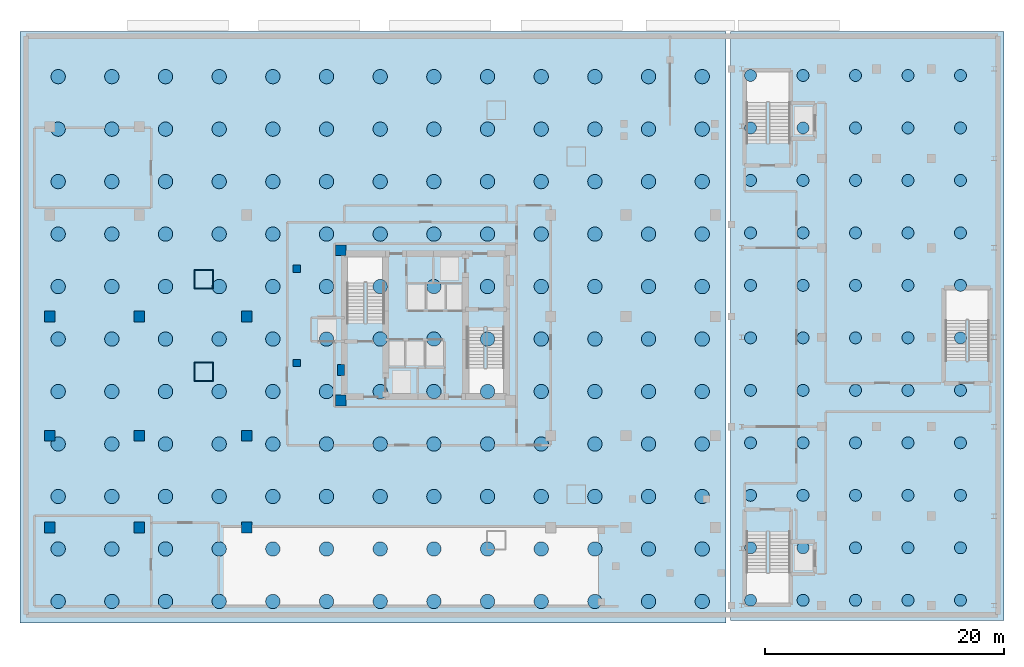
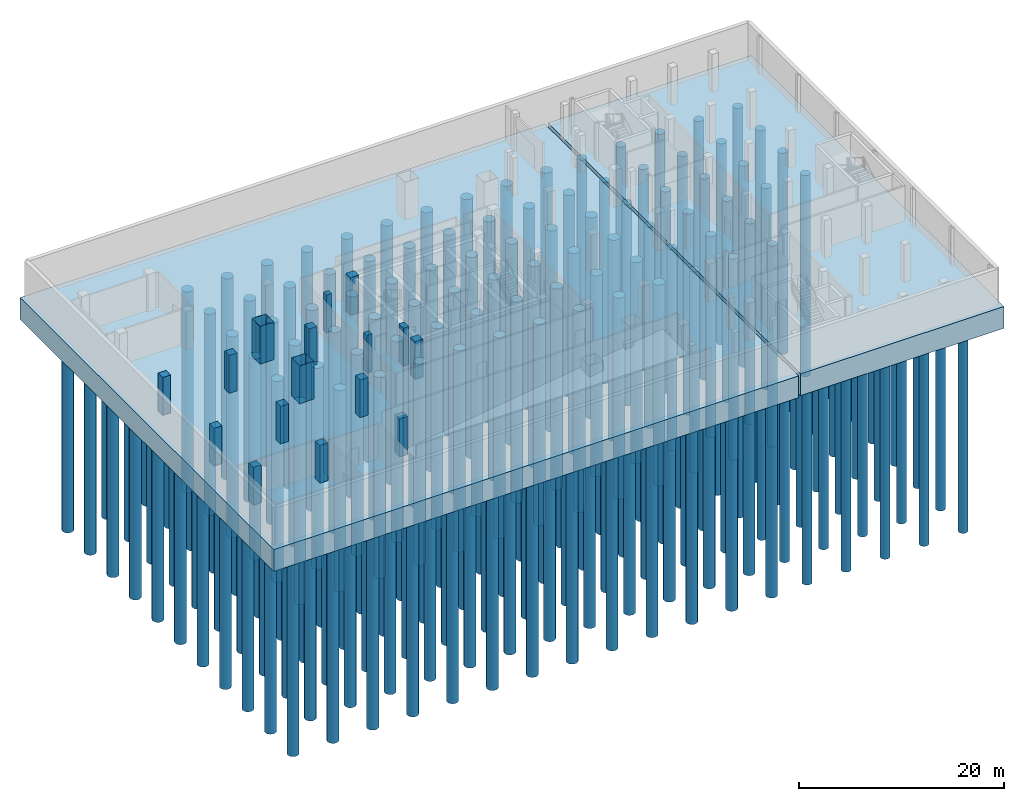
# One storey, part 1 of 15: 198 piles, 16 columns, 2 footings.
"""IFC4 building model written with IfcOpenShell, lengths in metres."""

from ifc_helpers import new_model, si_unit, direction, frame, origin, origin_2d, place, context, subcontext, project, spatial, polyline, rectangle, hollow_rectangle, circle, outline, extrude, material, material_profile, profile_set, type_object, element, save


model = new_model("IFC4")

# Units and contexts
model_context = context("Model", 3, precision=1e-05, world=origin(), true_north=direction((0.0, 1.0)))
body_context = subcontext(model_context, "Body", "Model", "MODEL_VIEW")
ifc_project = project(units=[si_unit("LENGTHUNIT", "METRE"), si_unit("AREAUNIT", "SQUARE_METRE"), si_unit("VOLUMEUNIT", "CUBIC_METRE"), si_unit("PLANEANGLEUNIT", "RADIAN"), si_unit("MASSUNIT", "GRAM", prefix="KILO")], contexts=[model_context])

# Site, building, storey
site_placement = place(None, origin())
site = spatial("IfcSite", under=ifc_project, at=site_placement, CompositionType="ELEMENT")
building_placement = place(site_placement, origin())
building = spatial("IfcBuilding", under=site, at=building_placement, Name="Mersakhor Tower and Convention Hall", CompositionType="ELEMENT")
storey_placement = place(building_placement, frame((0.0, 0.0, -9.0)))
storey = spatial("IfcBuildingStorey", under=building, at=storey_placement, Name="B02", CompositionType="ELEMENT", Elevation=-9.0)

# Footings
ifc_material_1 = material(Name="Concrete C45/55", Category="concrete")
footing_type_1 = type_object("IfcFootingType", Name="FT-RAFT-CNV", PredefinedType="PILE_CAP", material=ifc_material_1)
footing_1_placement = place(storey_placement, frame((0.0, 0.0, -2.60009765625)))
element("IfcFooting", 1, at=footing_1_placement, inside=storey, type_object=footing_type_1, Name="Convention Hall Piled Raft Foundation", PredefinedType="PILE_CAP", context=body_context, shape_type="SweptSolid", body=[
    extrude(outline(polyline([(54.550048828125, 2.0), (54.550048828125, 51.39990234375), (77.5, 51.39990234375), (77.5, 2.0), (54.550048828125, 2.0)])), origin(), (0.0, 0.0, 1.0), 2.60009765625),
])
ifc_material_2 = material(Name="Concrete C45/55", Category="concrete")
footing_type_2 = type_object("IfcFootingType", Name="FT-RAFT-TWR", PredefinedType="PILE_CAP", material=ifc_material_2)
footing_2_placement = place(storey_placement, frame((0.0, 0.0, -2.60009765625)))
element("IfcFooting", 2, at=footing_2_placement, inside=storey, type_object=footing_type_2, Name="Tower Piled Raft Foundation", PredefinedType="PILE_CAP", context=body_context, shape_type="SweptSolid", body=[
    extrude(outline(polyline([(-5.0, 1.800048828125), (-5.0, 51.39990234375), (54.199951171875, 51.39990234375), (54.199951171875, 1.800048828125), (-5.0, 1.800048828125)])), origin(), (0.0, 0.0, 1.0), 2.60009765625),
])

# Piles
ifc_material_3 = material(Name="Concrete C45/55", Category="concrete")
ifc_material_profile_1 = material_profile(ifc_material_3, circle(Radius=0.5, at=origin_2d()), Name="PILE D1000")
ifc_profile_set_1 = profile_set([ifc_material_profile_1], Name="Concrete C45/55")
pile_type_1 = type_object("IfcPileType", Name="PL-D1000", PredefinedType="BORED", material=ifc_profile_set_1)
for number, where, z_axis, x_axis, name in (
    (3, (56.25, 3.699951171875, -2.47998046875), (0.0, 0.0, -1.0), (1.0, 0.0, 0.0), "Convention Bored Pile P-C001"),
    (4, (56.25, 8.10009765625, -2.47998046875), (0.0, 0.0, -1.0), (1.0, 0.0, 0.0), "Convention Bored Pile P-C002"),
    (5, (56.25, 12.5, -2.47998046875), (0.0, 0.0, -1.0), (1.0, 0.0, 0.0), "Convention Bored Pile P-C003"),
    (6, (56.25, 16.89990234375, -2.47998046875), (0.0, 0.0, -1.0), (1.0, 0.0, 0.0), "Convention Bored Pile P-C004"),
    (7, (56.25, 21.300048828125, -2.47998046875), (0.0, 0.0, -1.0), (1.0, 0.0, 0.0), "Convention Bored Pile P-C005"),
    (8, (56.25, 25.699951171875, -2.47998046875), (0.0, 0.0, -1.0), (1.0, 0.0, 0.0), "Convention Bored Pile P-C006"),
    (9, (56.25, 30.10009765625, -2.47998046875), (0.0, 0.0, -1.0), (1.0, 0.0, 0.0), "Convention Bored Pile P-C007"),
    (10, (56.25, 34.5, -2.47998046875), (0.0, 0.0, -1.0), (1.0, 0.0, 0.0), "Convention Bored Pile P-C008"),
    (11, (56.25, 38.89990234375, -2.47998046875), (0.0, 0.0, -1.0), (1.0, 0.0, 0.0), "Convention Bored Pile P-C009"),
    (12, (56.25, 43.300048828125, -2.47998046875), (0.0, 0.0, -1.0), (1.0, 0.0, 0.0), "Convention Bored Pile P-C010"),
    (13, (56.25, 47.699951171875, -2.47998046875), (0.0, 0.0, -1.0), (1.0, 0.0, 0.0), "Convention Bored Pile P-C011"),
    (14, (60.64990234375, 3.699951171875, -2.47998046875), (0.0, 0.0, -1.0), (1.0, 0.0, 0.0), "Convention Bored Pile P-C012"),
    (15, (60.64990234375, 8.10009765625, -2.47998046875), (0.0, 0.0, -1.0), (1.0, 0.0, 0.0), "Convention Bored Pile P-C013"),
    (16, (60.64990234375, 12.5, -2.47998046875), (0.0, 0.0, -1.0), (1.0, 0.0, 0.0), "Convention Bored Pile P-C014"),
    (17, (60.64990234375, 16.89990234375, -2.47998046875), (0.0, 0.0, -1.0), (1.0, 0.0, 0.0), "Convention Bored Pile P-C015"),
    (18, (60.64990234375, 21.300048828125, -2.47998046875), (0.0, 0.0, -1.0), (1.0, 0.0, 0.0), "Convention Bored Pile P-C016"),
    (19, (60.64990234375, 25.699951171875, -2.47998046875), (0.0, 0.0, -1.0), (1.0, 0.0, 0.0), "Convention Bored Pile P-C017"),
    (20, (60.64990234375, 30.10009765625, -2.47998046875), (0.0, 0.0, -1.0), (1.0, 0.0, 0.0), "Convention Bored Pile P-C018"),
    (21, (60.64990234375, 34.5, -2.47998046875), (0.0, 0.0, -1.0), (1.0, 0.0, 0.0), "Convention Bored Pile P-C019"),
    (22, (60.64990234375, 38.89990234375, -2.47998046875), (0.0, 0.0, -1.0), (1.0, 0.0, 0.0), "Convention Bored Pile P-C020"),
    (23, (60.64990234375, 43.300048828125, -2.47998046875), (0.0, 0.0, -1.0), (1.0, 0.0, 0.0), "Convention Bored Pile P-C021"),
    (24, (60.64990234375, 47.699951171875, -2.47998046875), (0.0, 0.0, -1.0), (1.0, 0.0, 0.0), "Convention Bored Pile P-C022"),
    (25, (65.050048828125, 3.699951171875, -2.47998046875), (0.0, 0.0, -1.0), (1.0, 0.0, 0.0), "Convention Bored Pile P-C023"),
    (26, (65.050048828125, 8.10009765625, -2.47998046875), (0.0, 0.0, -1.0), (1.0, 0.0, 0.0), "Convention Bored Pile P-C024"),
    (27, (65.050048828125, 12.5, -2.47998046875), (0.0, 0.0, -1.0), (1.0, 0.0, 0.0), "Convention Bored Pile P-C025"),
    (28, (65.050048828125, 16.89990234375, -2.47998046875), (0.0, 0.0, -1.0), (1.0, 0.0, 0.0), "Convention Bored Pile P-C026"),
    (29, (65.050048828125, 21.300048828125, -2.47998046875), (0.0, 0.0, -1.0), (1.0, 0.0, 0.0), "Convention Bored Pile P-C027"),
    (30, (65.050048828125, 25.699951171875, -2.47998046875), (0.0, 0.0, -1.0), (1.0, 0.0, 0.0), "Convention Bored Pile P-C028"),
    (31, (65.050048828125, 30.10009765625, -2.47998046875), (0.0, 0.0, -1.0), (1.0, 0.0, 0.0), "Convention Bored Pile P-C029"),
    (32, (65.050048828125, 34.5, -2.47998046875), (0.0, 0.0, -1.0), (1.0, 0.0, 0.0), "Convention Bored Pile P-C030"),
    (33, (65.050048828125, 38.89990234375, -2.47998046875), (0.0, 0.0, -1.0), (1.0, 0.0, 0.0), "Convention Bored Pile P-C031"),
    (34, (65.050048828125, 43.300048828125, -2.47998046875), (0.0, 0.0, -1.0), (1.0, 0.0, 0.0), "Convention Bored Pile P-C032"),
    (35, (65.050048828125, 47.699951171875, -2.47998046875), (0.0, 0.0, -1.0), (1.0, 0.0, 0.0), "Convention Bored Pile P-C033"),
    (36, (69.449951171875, 3.699951171875, -2.47998046875), (0.0, 0.0, -1.0), (1.0, 0.0, 0.0), "Convention Bored Pile P-C034"),
    (37, (69.449951171875, 8.10009765625, -2.47998046875), (0.0, 0.0, -1.0), (1.0, 0.0, 0.0), "Convention Bored Pile P-C035"),
    (38, (69.449951171875, 12.5, -2.47998046875), (0.0, 0.0, -1.0), (1.0, 0.0, 0.0), "Convention Bored Pile P-C036"),
    (39, (69.449951171875, 16.89990234375, -2.47998046875), (0.0, 0.0, -1.0), (1.0, 0.0, 0.0), "Convention Bored Pile P-C037"),
    (40, (69.449951171875, 21.300048828125, -2.47998046875), (0.0, 0.0, -1.0), (1.0, 0.0, 0.0), "Convention Bored Pile P-C038"),
    (41, (69.449951171875, 25.699951171875, -2.47998046875), (0.0, 0.0, -1.0), (1.0, 0.0, 0.0), "Convention Bored Pile P-C039"),
    (42, (69.449951171875, 30.10009765625, -2.47998046875), (0.0, 0.0, -1.0), (1.0, 0.0, 0.0), "Convention Bored Pile P-C040"),
    (43, (69.449951171875, 34.5, -2.47998046875), (0.0, 0.0, -1.0), (1.0, 0.0, 0.0), "Convention Bored Pile P-C041"),
    (44, (69.449951171875, 38.89990234375, -2.47998046875), (0.0, 0.0, -1.0), (1.0, 0.0, 0.0), "Convention Bored Pile P-C042"),
    (45, (69.449951171875, 43.300048828125, -2.47998046875), (0.0, 0.0, -1.0), (1.0, 0.0, 0.0), "Convention Bored Pile P-C043"),
    (46, (69.449951171875, 47.699951171875, -2.47998046875), (0.0, 0.0, -1.0), (1.0, 0.0, 0.0), "Convention Bored Pile P-C044"),
    (47, (73.85009765625, 3.699951171875, -2.47998046875), (0.0, 0.0, -1.0), (1.0, 0.0, 0.0), "Convention Bored Pile P-C045"),
    (48, (73.85009765625, 8.10009765625, -2.47998046875), (0.0, 0.0, -1.0), (1.0, 0.0, 0.0), "Convention Bored Pile P-C046"),
    (49, (73.85009765625, 12.5, -2.47998046875), (0.0, 0.0, -1.0), (1.0, 0.0, 0.0), "Convention Bored Pile P-C047"),
    (50, (73.85009765625, 16.89990234375, -2.47998046875), (0.0, 0.0, -1.0), (1.0, 0.0, 0.0), "Convention Bored Pile P-C048"),
    (51, (73.85009765625, 21.300048828125, -2.47998046875), (0.0, 0.0, -1.0), (1.0, 0.0, 0.0), "Convention Bored Pile P-C049"),
    (52, (73.85009765625, 25.699951171875, -2.47998046875), (0.0, 0.0, -1.0), (1.0, 0.0, 0.0), "Convention Bored Pile P-C050"),
    (53, (73.85009765625, 30.10009765625, -2.47998046875), (0.0, 0.0, -1.0), (1.0, 0.0, 0.0), "Convention Bored Pile P-C051"),
    (54, (73.85009765625, 34.5, -2.47998046875), (0.0, 0.0, -1.0), (1.0, 0.0, 0.0), "Convention Bored Pile P-C052"),
    (55, (73.85009765625, 38.89990234375, -2.47998046875), (0.0, 0.0, -1.0), (1.0, 0.0, 0.0), "Convention Bored Pile P-C053"),
    (56, (73.85009765625, 43.300048828125, -2.47998046875), (0.0, 0.0, -1.0), (1.0, 0.0, 0.0), "Convention Bored Pile P-C054"),
    (57, (73.85009765625, 47.699951171875, -2.47998046875), (0.0, 0.0, -1.0), (1.0, 0.0, 0.0), "Convention Bored Pile P-C055"),
):
    element("IfcPile", number, at=place(storey_placement, frame(where, z_axis=z_axis, x_axis=x_axis)), inside=storey, type_object=pile_type_1, Name=name, PredefinedType="BORED", context=body_context, shape_type="SweptSolid", body=[
        extrude(circle(Radius=0.5, at=origin_2d()), origin(), (0.0, 0.0, 1.0), 24.0),
    ])
ifc_material_4 = material(Name="Concrete C45/55", Category="concrete")
ifc_material_profile_2 = material_profile(ifc_material_4, circle(Radius=0.60009765625, at=origin_2d()), Name="PILE D1200")
ifc_profile_set_2 = profile_set([ifc_material_profile_2], Name="Concrete C45/55")
pile_type_2 = type_object("IfcPileType", Name="PL-D1200", PredefinedType="BORED", material=ifc_profile_set_2)
for number, where, z_axis, x_axis, name in (
    (58, (-1.800048828125, 3.60009765625, -2.47998046875), (0.0, 0.0, -1.0), (1.0, 0.0, 0.0), "Tower Bored Pile P-T001"),
    (59, (-1.800048828125, 8.0, -2.47998046875), (0.0, 0.0, -1.0), (1.0, 0.0, 0.0), "Tower Bored Pile P-T002"),
    (60, (-1.800048828125, 12.39990234375, -2.47998046875), (0.0, 0.0, -1.0), (1.0, 0.0, 0.0), "Tower Bored Pile P-T003"),
    (61, (-1.800048828125, 16.800048828125, -2.47998046875), (0.0, 0.0, -1.0), (1.0, 0.0, 0.0), "Tower Bored Pile P-T004"),
    (62, (-1.800048828125, 21.199951171875, -2.47998046875), (0.0, 0.0, -1.0), (1.0, 0.0, 0.0), "Tower Bored Pile P-T005"),
    (63, (-1.800048828125, 25.60009765625, -2.47998046875), (0.0, 0.0, -1.0), (1.0, 0.0, 0.0), "Tower Bored Pile P-T006"),
    (64, (-1.800048828125, 30.0, -2.47998046875), (0.0, 0.0, -1.0), (1.0, 0.0, 0.0), "Tower Bored Pile P-T007"),
    (65, (-1.800048828125, 34.39990234375, -2.47998046875), (0.0, 0.0, -1.0), (1.0, 0.0, 0.0), "Tower Bored Pile P-T008"),
    (66, (-1.800048828125, 38.800048828125, -2.47998046875), (0.0, 0.0, -1.0), (1.0, 0.0, 0.0), "Tower Bored Pile P-T009"),
    (67, (-1.800048828125, 43.199951171875, -2.47998046875), (0.0, 0.0, -1.0), (1.0, 0.0, 0.0), "Tower Bored Pile P-T010"),
    (68, (-1.800048828125, 47.60009765625, -2.47998046875), (0.0, 0.0, -1.0), (1.0, 0.0, 0.0), "Tower Bored Pile P-T011"),
    (69, (2.699951171875, 3.60009765625, -2.47998046875), (0.0, 0.0, -1.0), (1.0, 0.0, 0.0), "Tower Bored Pile P-T012"),
    (70, (2.699951171875, 8.0, -2.47998046875), (0.0, 0.0, -1.0), (1.0, 0.0, 0.0), "Tower Bored Pile P-T013"),
    (71, (2.699951171875, 12.39990234375, -2.47998046875), (0.0, 0.0, -1.0), (1.0, 0.0, 0.0), "Tower Bored Pile P-T014"),
    (72, (2.699951171875, 16.800048828125, -2.47998046875), (0.0, 0.0, -1.0), (1.0, 0.0, 0.0), "Tower Bored Pile P-T015"),
    (73, (2.699951171875, 21.199951171875, -2.47998046875), (0.0, 0.0, -1.0), (1.0, 0.0, 0.0), "Tower Bored Pile P-T016"),
    (74, (2.699951171875, 25.60009765625, -2.47998046875), (0.0, 0.0, -1.0), (1.0, 0.0, 0.0), "Tower Bored Pile P-T017"),
    (75, (2.699951171875, 30.0, -2.47998046875), (0.0, 0.0, -1.0), (1.0, 0.0, 0.0), "Tower Bored Pile P-T018"),
    (76, (2.699951171875, 34.39990234375, -2.47998046875), (0.0, 0.0, -1.0), (1.0, 0.0, 0.0), "Tower Bored Pile P-T019"),
    (77, (2.699951171875, 38.800048828125, -2.47998046875), (0.0, 0.0, -1.0), (1.0, 0.0, 0.0), "Tower Bored Pile P-T020"),
    (78, (2.699951171875, 43.199951171875, -2.47998046875), (0.0, 0.0, -1.0), (1.0, 0.0, 0.0), "Tower Bored Pile P-T021"),
    (79, (2.699951171875, 47.60009765625, -2.47998046875), (0.0, 0.0, -1.0), (1.0, 0.0, 0.0), "Tower Bored Pile P-T022"),
    (80, (7.199951171875, 3.60009765625, -2.47998046875), (0.0, 0.0, -1.0), (1.0, 0.0, 0.0), "Tower Bored Pile P-T023"),
    (81, (7.199951171875, 8.0, -2.47998046875), (0.0, 0.0, -1.0), (1.0, 0.0, 0.0), "Tower Bored Pile P-T024"),
    (82, (7.199951171875, 12.39990234375, -2.47998046875), (0.0, 0.0, -1.0), (1.0, 0.0, 0.0), "Tower Bored Pile P-T025"),
    (83, (7.199951171875, 16.800048828125, -2.47998046875), (0.0, 0.0, -1.0), (1.0, 0.0, 0.0), "Tower Bored Pile P-T026"),
    (84, (7.199951171875, 21.199951171875, -2.47998046875), (0.0, 0.0, -1.0), (1.0, 0.0, 0.0), "Tower Bored Pile P-T027"),
    (85, (7.199951171875, 25.60009765625, -2.47998046875), (0.0, 0.0, -1.0), (1.0, 0.0, 0.0), "Tower Bored Pile P-T028"),
    (86, (7.199951171875, 30.0, -2.47998046875), (0.0, 0.0, -1.0), (1.0, 0.0, 0.0), "Tower Bored Pile P-T029"),
    (87, (7.199951171875, 34.39990234375, -2.47998046875), (0.0, 0.0, -1.0), (1.0, 0.0, 0.0), "Tower Bored Pile P-T030"),
    (88, (7.199951171875, 38.800048828125, -2.47998046875), (0.0, 0.0, -1.0), (1.0, 0.0, 0.0), "Tower Bored Pile P-T031"),
    (89, (7.199951171875, 43.199951171875, -2.47998046875), (0.0, 0.0, -1.0), (1.0, 0.0, 0.0), "Tower Bored Pile P-T032"),
    (90, (7.199951171875, 47.60009765625, -2.47998046875), (0.0, 0.0, -1.0), (1.0, 0.0, 0.0), "Tower Bored Pile P-T033"),
    (91, (11.699951171875, 3.60009765625, -2.47998046875), (0.0, 0.0, -1.0), (1.0, 0.0, 0.0), "Tower Bored Pile P-T034"),
    (92, (11.699951171875, 8.0, -2.47998046875), (0.0, 0.0, -1.0), (1.0, 0.0, 0.0), "Tower Bored Pile P-T035"),
    (93, (11.699951171875, 12.39990234375, -2.47998046875), (0.0, 0.0, -1.0), (1.0, 0.0, 0.0), "Tower Bored Pile P-T036"),
    (94, (11.699951171875, 16.800048828125, -2.47998046875), (0.0, 0.0, -1.0), (1.0, 0.0, 0.0), "Tower Bored Pile P-T037"),
    (95, (11.699951171875, 21.199951171875, -2.47998046875), (0.0, 0.0, -1.0), (1.0, 0.0, 0.0), "Tower Bored Pile P-T038"),
    (96, (11.699951171875, 25.60009765625, -2.47998046875), (0.0, 0.0, -1.0), (1.0, 0.0, 0.0), "Tower Bored Pile P-T039"),
    (97, (11.699951171875, 30.0, -2.47998046875), (0.0, 0.0, -1.0), (1.0, 0.0, 0.0), "Tower Bored Pile P-T040"),
    (98, (11.699951171875, 34.39990234375, -2.47998046875), (0.0, 0.0, -1.0), (1.0, 0.0, 0.0), "Tower Bored Pile P-T041"),
    (99, (11.699951171875, 38.800048828125, -2.47998046875), (0.0, 0.0, -1.0), (1.0, 0.0, 0.0), "Tower Bored Pile P-T042"),
    (100, (11.699951171875, 43.199951171875, -2.47998046875), (0.0, 0.0, -1.0), (1.0, 0.0, 0.0), "Tower Bored Pile P-T043"),
    (101, (11.699951171875, 47.60009765625, -2.47998046875), (0.0, 0.0, -1.0), (1.0, 0.0, 0.0), "Tower Bored Pile P-T044"),
    (102, (16.199951171875, 3.60009765625, -2.47998046875), (0.0, 0.0, -1.0), (1.0, 0.0, 0.0), "Tower Bored Pile P-T045"),
    (103, (16.199951171875, 8.0, -2.47998046875), (0.0, 0.0, -1.0), (1.0, 0.0, 0.0), "Tower Bored Pile P-T046"),
    (104, (16.199951171875, 12.39990234375, -2.47998046875), (0.0, 0.0, -1.0), (1.0, 0.0, 0.0), "Tower Bored Pile P-T047"),
    (105, (16.199951171875, 16.800048828125, -2.47998046875), (0.0, 0.0, -1.0), (1.0, 0.0, 0.0), "Tower Bored Pile P-T048"),
    (106, (16.199951171875, 21.199951171875, -2.47998046875), (0.0, 0.0, -1.0), (1.0, 0.0, 0.0), "Tower Bored Pile P-T049"),
    (107, (16.199951171875, 25.60009765625, -2.47998046875), (0.0, 0.0, -1.0), (1.0, 0.0, 0.0), "Tower Bored Pile P-T050"),
    (108, (16.199951171875, 30.0, -2.47998046875), (0.0, 0.0, -1.0), (1.0, 0.0, 0.0), "Tower Bored Pile P-T051"),
    (109, (16.199951171875, 34.39990234375, -2.47998046875), (0.0, 0.0, -1.0), (1.0, 0.0, 0.0), "Tower Bored Pile P-T052"),
    (110, (16.199951171875, 38.800048828125, -2.47998046875), (0.0, 0.0, -1.0), (1.0, 0.0, 0.0), "Tower Bored Pile P-T053"),
    (111, (16.199951171875, 43.199951171875, -2.47998046875), (0.0, 0.0, -1.0), (1.0, 0.0, 0.0), "Tower Bored Pile P-T054"),
    (112, (16.199951171875, 47.60009765625, -2.47998046875), (0.0, 0.0, -1.0), (1.0, 0.0, 0.0), "Tower Bored Pile P-T055"),
    (113, (20.699951171875, 3.60009765625, -2.47998046875), (0.0, 0.0, -1.0), (1.0, 0.0, 0.0), "Tower Bored Pile P-T056"),
    (114, (20.699951171875, 8.0, -2.47998046875), (0.0, 0.0, -1.0), (1.0, 0.0, 0.0), "Tower Bored Pile P-T057"),
    (115, (20.699951171875, 12.39990234375, -2.47998046875), (0.0, 0.0, -1.0), (1.0, 0.0, 0.0), "Tower Bored Pile P-T058"),
    (116, (20.699951171875, 16.800048828125, -2.47998046875), (0.0, 0.0, -1.0), (1.0, 0.0, 0.0), "Tower Bored Pile P-T059"),
    (117, (20.699951171875, 21.199951171875, -2.47998046875), (0.0, 0.0, -1.0), (1.0, 0.0, 0.0), "Tower Bored Pile P-T060"),
    (118, (20.699951171875, 25.60009765625, -2.47998046875), (0.0, 0.0, -1.0), (1.0, 0.0, 0.0), "Tower Bored Pile P-T061"),
    (119, (20.699951171875, 30.0, -2.47998046875), (0.0, 0.0, -1.0), (1.0, 0.0, 0.0), "Tower Bored Pile P-T062"),
    (120, (20.699951171875, 34.39990234375, -2.47998046875), (0.0, 0.0, -1.0), (1.0, 0.0, 0.0), "Tower Bored Pile P-T063"),
    (121, (20.699951171875, 38.800048828125, -2.47998046875), (0.0, 0.0, -1.0), (1.0, 0.0, 0.0), "Tower Bored Pile P-T064"),
    (122, (20.699951171875, 43.199951171875, -2.47998046875), (0.0, 0.0, -1.0), (1.0, 0.0, 0.0), "Tower Bored Pile P-T065"),
    (123, (20.699951171875, 47.60009765625, -2.47998046875), (0.0, 0.0, -1.0), (1.0, 0.0, 0.0), "Tower Bored Pile P-T066"),
    (124, (25.199951171875, 3.60009765625, -2.47998046875), (0.0, 0.0, -1.0), (1.0, 0.0, 0.0), "Tower Bored Pile P-T067"),
    (125, (25.199951171875, 8.0, -2.47998046875), (0.0, 0.0, -1.0), (1.0, 0.0, 0.0), "Tower Bored Pile P-T068"),
    (126, (25.199951171875, 12.39990234375, -2.47998046875), (0.0, 0.0, -1.0), (1.0, 0.0, 0.0), "Tower Bored Pile P-T069"),
    (127, (25.199951171875, 16.800048828125, -2.47998046875), (0.0, 0.0, -1.0), (1.0, 0.0, 0.0), "Tower Bored Pile P-T070"),
    (128, (25.199951171875, 21.199951171875, -2.47998046875), (0.0, 0.0, -1.0), (1.0, 0.0, 0.0), "Tower Bored Pile P-T071"),
    (129, (25.199951171875, 25.60009765625, -2.47998046875), (0.0, 0.0, -1.0), (1.0, 0.0, 0.0), "Tower Bored Pile P-T072"),
    (130, (25.199951171875, 30.0, -2.47998046875), (0.0, 0.0, -1.0), (1.0, 0.0, 0.0), "Tower Bored Pile P-T073"),
    (131, (25.199951171875, 34.39990234375, -2.47998046875), (0.0, 0.0, -1.0), (1.0, 0.0, 0.0), "Tower Bored Pile P-T074"),
    (132, (25.199951171875, 38.800048828125, -2.47998046875), (0.0, 0.0, -1.0), (1.0, 0.0, 0.0), "Tower Bored Pile P-T075"),
    (133, (25.199951171875, 43.199951171875, -2.47998046875), (0.0, 0.0, -1.0), (1.0, 0.0, 0.0), "Tower Bored Pile P-T076"),
    (134, (25.199951171875, 47.60009765625, -2.47998046875), (0.0, 0.0, -1.0), (1.0, 0.0, 0.0), "Tower Bored Pile P-T077"),
    (135, (29.699951171875, 3.60009765625, -2.47998046875), (0.0, 0.0, -1.0), (1.0, 0.0, 0.0), "Tower Bored Pile P-T078"),
    (136, (29.699951171875, 8.0, -2.47998046875), (0.0, 0.0, -1.0), (1.0, 0.0, 0.0), "Tower Bored Pile P-T079"),
    (137, (29.699951171875, 12.39990234375, -2.47998046875), (0.0, 0.0, -1.0), (1.0, 0.0, 0.0), "Tower Bored Pile P-T080"),
    (138, (29.699951171875, 16.800048828125, -2.47998046875), (0.0, 0.0, -1.0), (1.0, 0.0, 0.0), "Tower Bored Pile P-T081"),
    (139, (29.699951171875, 21.199951171875, -2.47998046875), (0.0, 0.0, -1.0), (1.0, 0.0, 0.0), "Tower Bored Pile P-T082"),
    (140, (29.699951171875, 25.60009765625, -2.47998046875), (0.0, 0.0, -1.0), (1.0, 0.0, 0.0), "Tower Bored Pile P-T083"),
    (141, (29.699951171875, 30.0, -2.47998046875), (0.0, 0.0, -1.0), (1.0, 0.0, 0.0), "Tower Bored Pile P-T084"),
    (142, (29.699951171875, 34.39990234375, -2.47998046875), (0.0, 0.0, -1.0), (1.0, 0.0, 0.0), "Tower Bored Pile P-T085"),
    (143, (29.699951171875, 38.800048828125, -2.47998046875), (0.0, 0.0, -1.0), (1.0, 0.0, 0.0), "Tower Bored Pile P-T086"),
    (144, (29.699951171875, 43.199951171875, -2.47998046875), (0.0, 0.0, -1.0), (1.0, 0.0, 0.0), "Tower Bored Pile P-T087"),
    (145, (29.699951171875, 47.60009765625, -2.47998046875), (0.0, 0.0, -1.0), (1.0, 0.0, 0.0), "Tower Bored Pile P-T088"),
    (146, (34.199951171875, 3.60009765625, -2.47998046875), (0.0, 0.0, -1.0), (1.0, 0.0, 0.0), "Tower Bored Pile P-T089"),
    (147, (34.199951171875, 8.0, -2.47998046875), (0.0, 0.0, -1.0), (1.0, 0.0, 0.0), "Tower Bored Pile P-T090"),
    (148, (34.199951171875, 12.39990234375, -2.47998046875), (0.0, 0.0, -1.0), (1.0, 0.0, 0.0), "Tower Bored Pile P-T091"),
    (149, (34.199951171875, 16.800048828125, -2.47998046875), (0.0, 0.0, -1.0), (1.0, 0.0, 0.0), "Tower Bored Pile P-T092"),
    (150, (34.199951171875, 21.199951171875, -2.47998046875), (0.0, 0.0, -1.0), (1.0, 0.0, 0.0), "Tower Bored Pile P-T093"),
    (151, (34.199951171875, 25.60009765625, -2.47998046875), (0.0, 0.0, -1.0), (1.0, 0.0, 0.0), "Tower Bored Pile P-T094"),
    (152, (34.199951171875, 30.0, -2.47998046875), (0.0, 0.0, -1.0), (1.0, 0.0, 0.0), "Tower Bored Pile P-T095"),
    (153, (34.199951171875, 34.39990234375, -2.47998046875), (0.0, 0.0, -1.0), (1.0, 0.0, 0.0), "Tower Bored Pile P-T096"),
    (154, (34.199951171875, 38.800048828125, -2.47998046875), (0.0, 0.0, -1.0), (1.0, 0.0, 0.0), "Tower Bored Pile P-T097"),
    (155, (34.199951171875, 43.199951171875, -2.47998046875), (0.0, 0.0, -1.0), (1.0, 0.0, 0.0), "Tower Bored Pile P-T098"),
    (156, (34.199951171875, 47.60009765625, -2.47998046875), (0.0, 0.0, -1.0), (1.0, 0.0, 0.0), "Tower Bored Pile P-T099"),
    (157, (38.699951171875, 3.60009765625, -2.47998046875), (0.0, 0.0, -1.0), (1.0, 0.0, 0.0), "Tower Bored Pile P-T100"),
    (158, (38.699951171875, 8.0, -2.47998046875), (0.0, 0.0, -1.0), (1.0, 0.0, 0.0), "Tower Bored Pile P-T101"),
    (159, (38.699951171875, 12.39990234375, -2.47998046875), (0.0, 0.0, -1.0), (1.0, 0.0, 0.0), "Tower Bored Pile P-T102"),
    (160, (38.699951171875, 16.800048828125, -2.47998046875), (0.0, 0.0, -1.0), (1.0, 0.0, 0.0), "Tower Bored Pile P-T103"),
    (161, (38.699951171875, 21.199951171875, -2.47998046875), (0.0, 0.0, -1.0), (1.0, 0.0, 0.0), "Tower Bored Pile P-T104"),
    (162, (38.699951171875, 25.60009765625, -2.47998046875), (0.0, 0.0, -1.0), (1.0, 0.0, 0.0), "Tower Bored Pile P-T105"),
    (163, (38.699951171875, 30.0, -2.47998046875), (0.0, 0.0, -1.0), (1.0, 0.0, 0.0), "Tower Bored Pile P-T106"),
    (164, (38.699951171875, 34.39990234375, -2.47998046875), (0.0, 0.0, -1.0), (1.0, 0.0, 0.0), "Tower Bored Pile P-T107"),
    (165, (38.699951171875, 38.800048828125, -2.47998046875), (0.0, 0.0, -1.0), (1.0, 0.0, 0.0), "Tower Bored Pile P-T108"),
    (166, (38.699951171875, 43.199951171875, -2.47998046875), (0.0, 0.0, -1.0), (1.0, 0.0, 0.0), "Tower Bored Pile P-T109"),
    (167, (38.699951171875, 47.60009765625, -2.47998046875), (0.0, 0.0, -1.0), (1.0, 0.0, 0.0), "Tower Bored Pile P-T110"),
    (168, (43.199951171875, 3.60009765625, -2.47998046875), (0.0, 0.0, -1.0), (1.0, 0.0, 0.0), "Tower Bored Pile P-T111"),
    (169, (43.199951171875, 8.0, -2.47998046875), (0.0, 0.0, -1.0), (1.0, 0.0, 0.0), "Tower Bored Pile P-T112"),
    (170, (43.199951171875, 12.39990234375, -2.47998046875), (0.0, 0.0, -1.0), (1.0, 0.0, 0.0), "Tower Bored Pile P-T113"),
    (171, (43.199951171875, 16.800048828125, -2.47998046875), (0.0, 0.0, -1.0), (1.0, 0.0, 0.0), "Tower Bored Pile P-T114"),
    (172, (43.199951171875, 21.199951171875, -2.47998046875), (0.0, 0.0, -1.0), (1.0, 0.0, 0.0), "Tower Bored Pile P-T115"),
    (173, (43.199951171875, 25.60009765625, -2.47998046875), (0.0, 0.0, -1.0), (1.0, 0.0, 0.0), "Tower Bored Pile P-T116"),
    (174, (43.199951171875, 30.0, -2.47998046875), (0.0, 0.0, -1.0), (1.0, 0.0, 0.0), "Tower Bored Pile P-T117"),
    (175, (43.199951171875, 34.39990234375, -2.47998046875), (0.0, 0.0, -1.0), (1.0, 0.0, 0.0), "Tower Bored Pile P-T118"),
    (176, (43.199951171875, 38.800048828125, -2.47998046875), (0.0, 0.0, -1.0), (1.0, 0.0, 0.0), "Tower Bored Pile P-T119"),
    (177, (43.199951171875, 43.199951171875, -2.47998046875), (0.0, 0.0, -1.0), (1.0, 0.0, 0.0), "Tower Bored Pile P-T120"),
    (178, (43.199951171875, 47.60009765625, -2.47998046875), (0.0, 0.0, -1.0), (1.0, 0.0, 0.0), "Tower Bored Pile P-T121"),
    (179, (47.699951171875, 3.60009765625, -2.47998046875), (0.0, 0.0, -1.0), (1.0, 0.0, 0.0), "Tower Bored Pile P-T122"),
    (180, (47.699951171875, 8.0, -2.47998046875), (0.0, 0.0, -1.0), (1.0, 0.0, 0.0), "Tower Bored Pile P-T123"),
    (181, (47.699951171875, 12.39990234375, -2.47998046875), (0.0, 0.0, -1.0), (1.0, 0.0, 0.0), "Tower Bored Pile P-T124"),
    (182, (47.699951171875, 16.800048828125, -2.47998046875), (0.0, 0.0, -1.0), (1.0, 0.0, 0.0), "Tower Bored Pile P-T125"),
    (183, (47.699951171875, 21.199951171875, -2.47998046875), (0.0, 0.0, -1.0), (1.0, 0.0, 0.0), "Tower Bored Pile P-T126"),
    (184, (47.699951171875, 25.60009765625, -2.47998046875), (0.0, 0.0, -1.0), (1.0, 0.0, 0.0), "Tower Bored Pile P-T127"),
    (185, (47.699951171875, 30.0, -2.47998046875), (0.0, 0.0, -1.0), (1.0, 0.0, 0.0), "Tower Bored Pile P-T128"),
    (186, (47.699951171875, 34.39990234375, -2.47998046875), (0.0, 0.0, -1.0), (1.0, 0.0, 0.0), "Tower Bored Pile P-T129"),
    (187, (47.699951171875, 38.800048828125, -2.47998046875), (0.0, 0.0, -1.0), (1.0, 0.0, 0.0), "Tower Bored Pile P-T130"),
    (188, (47.699951171875, 43.199951171875, -2.47998046875), (0.0, 0.0, -1.0), (1.0, 0.0, 0.0), "Tower Bored Pile P-T131"),
    (189, (47.699951171875, 47.60009765625, -2.47998046875), (0.0, 0.0, -1.0), (1.0, 0.0, 0.0), "Tower Bored Pile P-T132"),
    (190, (52.199951171875, 3.60009765625, -2.47998046875), (0.0, 0.0, -1.0), (1.0, 0.0, 0.0), "Tower Bored Pile P-T133"),
    (191, (52.199951171875, 8.0, -2.47998046875), (0.0, 0.0, -1.0), (1.0, 0.0, 0.0), "Tower Bored Pile P-T134"),
    (192, (52.199951171875, 12.39990234375, -2.47998046875), (0.0, 0.0, -1.0), (1.0, 0.0, 0.0), "Tower Bored Pile P-T135"),
    (193, (52.199951171875, 16.800048828125, -2.47998046875), (0.0, 0.0, -1.0), (1.0, 0.0, 0.0), "Tower Bored Pile P-T136"),
    (194, (52.199951171875, 21.199951171875, -2.47998046875), (0.0, 0.0, -1.0), (1.0, 0.0, 0.0), "Tower Bored Pile P-T137"),
    (195, (52.199951171875, 25.60009765625, -2.47998046875), (0.0, 0.0, -1.0), (1.0, 0.0, 0.0), "Tower Bored Pile P-T138"),
    (196, (52.199951171875, 30.0, -2.47998046875), (0.0, 0.0, -1.0), (1.0, 0.0, 0.0), "Tower Bored Pile P-T139"),
    (197, (52.199951171875, 34.39990234375, -2.47998046875), (0.0, 0.0, -1.0), (1.0, 0.0, 0.0), "Tower Bored Pile P-T140"),
    (198, (52.199951171875, 38.800048828125, -2.47998046875), (0.0, 0.0, -1.0), (1.0, 0.0, 0.0), "Tower Bored Pile P-T141"),
    (199, (52.199951171875, 43.199951171875, -2.47998046875), (0.0, 0.0, -1.0), (1.0, 0.0, 0.0), "Tower Bored Pile P-T142"),
    (200, (52.199951171875, 47.60009765625, -2.47998046875), (0.0, 0.0, -1.0), (1.0, 0.0, 0.0), "Tower Bored Pile P-T143"),
):
    element("IfcPile", number, at=place(storey_placement, frame(where, z_axis=z_axis, x_axis=x_axis)), inside=storey, type_object=pile_type_2, Name=name, PredefinedType="BORED", context=body_context, shape_type="SweptSolid", body=[
        extrude(circle(Radius=0.60009765625, at=origin_2d()), origin(), (0.0, 0.0, 1.0), 24.0),
    ])

# Columns
ifc_material_5 = material(Name="Concrete C70/85 in S460M steel box", Category="concrete")
ifc_material_profile_3 = material_profile(ifc_material_5, hollow_rectangle(XDim=1.60009765625, YDim=1.60009765625, WallThickness=0.0400390625, at=origin_2d()), Name="SHS 1600x1600x40")
ifc_profile_set_3 = profile_set([ifc_material_profile_3], Name="Concrete C70/85 in S460M steel box")
column_type_1 = type_object("IfcColumnType", Name="COL-CFT-1600", PredefinedType="COLUMN", material=ifc_profile_set_3)
for number, where, z_axis, x_axis, name in (
    (201, (10.416748046875, 30.6279296875, 0.0), (0.0, 0.0, 1.0), (1.0, 0.0, 0.0), "B02 Mega-Column Pedestal PIL-F1-1"),
    (202, (10.416748046875, 22.8720703125, 0.0), (0.0, 0.0, 1.0), (1.0, 0.0, 0.0), "B02 Mega-Column Pedestal PIL-F3-2"),
):
    element("IfcColumn", number, at=place(storey_placement, frame(where, z_axis=z_axis, x_axis=x_axis)), inside=storey, type_object=column_type_1, Name=name, PredefinedType="COLUMN", context=body_context, shape_type="SweptSolid", body=[
        extrude(hollow_rectangle(XDim=1.60009765625, YDim=1.60009765625, WallThickness=0.0400390625, at=origin_2d()), origin(), (0.0, 0.0, 1.0), 4.5),
    ])
ifc_material_6 = material(Name="Concrete C50/60", Category="concrete")
ifc_material_profile_4 = material_profile(ifc_material_6, rectangle(XDim=0.60009765625, YDim=0.60009765625, at=origin_2d()), Name="RC 600x600")
ifc_profile_set_4 = profile_set([ifc_material_profile_4], Name="Concrete C50/60")
column_type_2 = type_object("IfcColumnType", Name="COL-RC-600", PredefinedType="COLUMN", material=ifc_profile_set_4)
for number, where, z_axis, x_axis, name in (
    (203, (18.199951171875, 23.60009765625, 0.0), (0.0, 0.0, 1.0), (1.0, 0.0, 0.0), "B02 Plaza and Ramp Support Column WPOD1"),
    (204, (18.199951171875, 31.5, 0.0), (0.0, 0.0, 1.0), (1.0, 0.0, 0.0), "B02 Plaza and Ramp Support Column WPOD2"),
):
    element("IfcColumn", number, at=place(storey_placement, frame(where, z_axis=z_axis, x_axis=x_axis)), inside=storey, type_object=column_type_2, Name=name, PredefinedType="COLUMN", context=body_context, shape_type="SweptSolid", body=[
        extrude(rectangle(XDim=0.60009765625, YDim=0.60009765625, at=origin_2d()), origin(), (0.0, 0.0, 1.0), 4.5),
    ])
ifc_material_7 = material(Name="Concrete C60/75", Category="concrete")
ifc_material_profile_5 = material_profile(ifc_material_7, rectangle(XDim=0.89990234375, YDim=0.89990234375, at=origin_2d()), Name="RC 900x900")
ifc_profile_set_5 = profile_set([ifc_material_profile_5], Name="Concrete C60/75")
column_type_3 = type_object("IfcColumnType", Name="COL-RC-900", PredefinedType="COLUMN", material=ifc_profile_set_5)
for number, where, z_axis, x_axis, name in (
    (205, (-2.5, 9.800048828125, 0.0), (0.0, 0.0, 1.0), (1.0, 0.0, 0.0), "B02 Car Park Column G1-1"),
    (206, (-2.5, 17.5, 0.0), (0.0, 0.0, 1.0), (1.0, 0.0, 0.0), "B02 Car Park Column G1-2"),
    (207, (-2.5, 27.5, 0.0), (0.0, 0.0, 1.0), (1.0, 0.0, 0.0), "B02 Car Park Column G1-3"),
    (208, (5.0, 9.800048828125, 0.0), (0.0, 0.0, 1.0), (1.0, 0.0, 0.0), "B02 Car Park Column G2-1"),
    (209, (5.0, 17.5, 0.0), (0.0, 0.0, 1.0), (1.0, 0.0, 0.0), "B02 Car Park Column G2-2"),
    (210, (5.0, 27.5, 0.0), (0.0, 0.0, 1.0), (1.0, 0.0, 0.0), "B02 Car Park Column G2-3"),
    (211, (14.0, 9.800048828125, 0.0), (0.0, 0.0, 1.0), (1.0, 0.0, 0.0), "B02 Car Park Column G3-1"),
    (212, (14.0, 17.5, 0.0), (0.0, 0.0, 1.0), (1.0, 0.0, 0.0), "B02 Car Park Column G3-2"),
    (213, (14.0, 27.5, 0.0), (0.0, 0.0, 1.0), (1.0, 0.0, 0.0), "B02 Car Park Column G3-3"),
    (214, (21.89990234375, 20.449951171875, 0.0), (0.0, 0.0, 1.0), (1.0, 0.0, 0.0), "B02 Core Corner Column CC-1"),
    (215, (21.89990234375, 33.050048828125, 0.0), (0.0, 0.0, 1.0), (1.0, 0.0, 0.0), "B02 Core Corner Column CC-2"),
):
    element("IfcColumn", number, at=place(storey_placement, frame(where, z_axis=z_axis, x_axis=x_axis)), inside=storey, type_object=column_type_3, Name=name, PredefinedType="COLUMN", context=body_context, shape_type="SweptSolid", body=[
        extrude(rectangle(XDim=0.89990234375, YDim=0.89990234375, at=origin_2d()), origin(), (0.0, 0.0, 1.0), 4.5),
    ])
ifc_material_8 = material(Name="Concrete C50/60", Category="concrete")
ifc_material_profile_6 = material_profile(ifc_material_8, rectangle(XDim=0.60009765625, YDim=0.89990234375, at=origin_2d()), Name="RC 600x900")
ifc_profile_set_6 = profile_set([ifc_material_profile_6], Name="Concrete C50/60")
column_type_4 = type_object("IfcColumnType", Name="PIL-RC-600x900", PredefinedType="PILASTER", material=ifc_profile_set_6)
column_placement = place(storey_placement, frame((21.89990234375, 23.0, 0.0), z_axis=(0.0, 0.0, 1.0), x_axis=(1.0, 0.0, 0.0)))
element("IfcColumn", 216, at=column_placement, inside=storey, type_object=column_type_4, Name="B02 Core Wall Pilaster CP-1", PredefinedType="PILASTER", context=body_context, shape_type="SweptSolid", body=[
    extrude(rectangle(XDim=0.60009765625, YDim=0.89990234375, at=origin_2d()), origin(), (0.0, 0.0, 1.0), 4.5),
])

save(model, "model.ifc")
